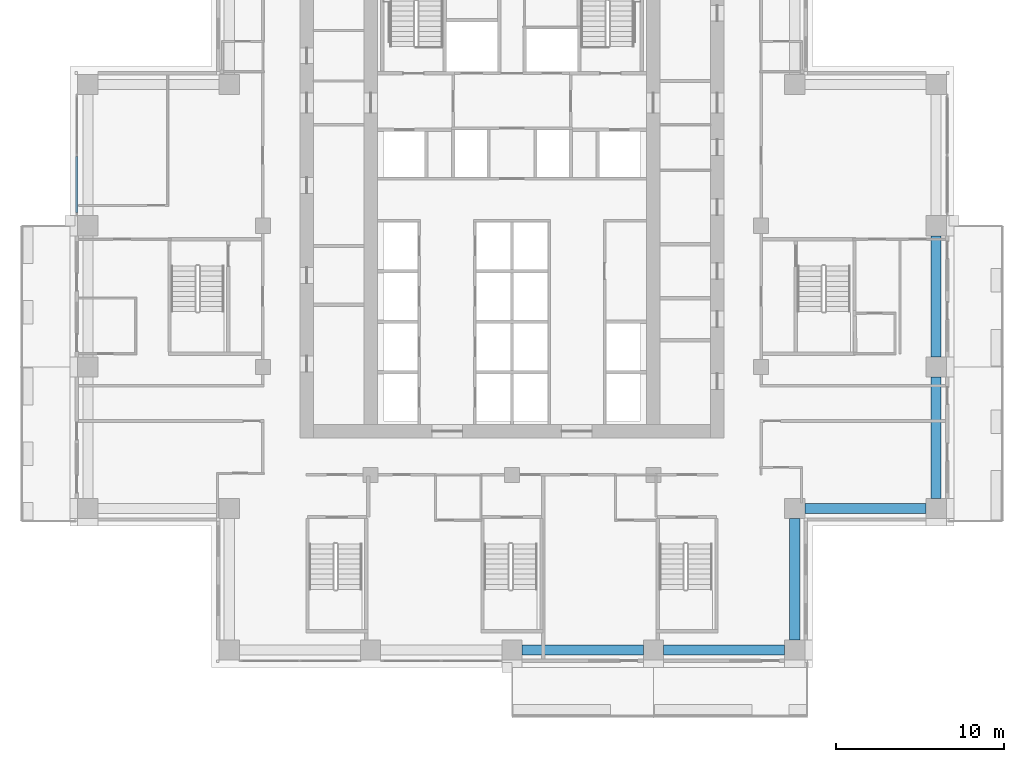
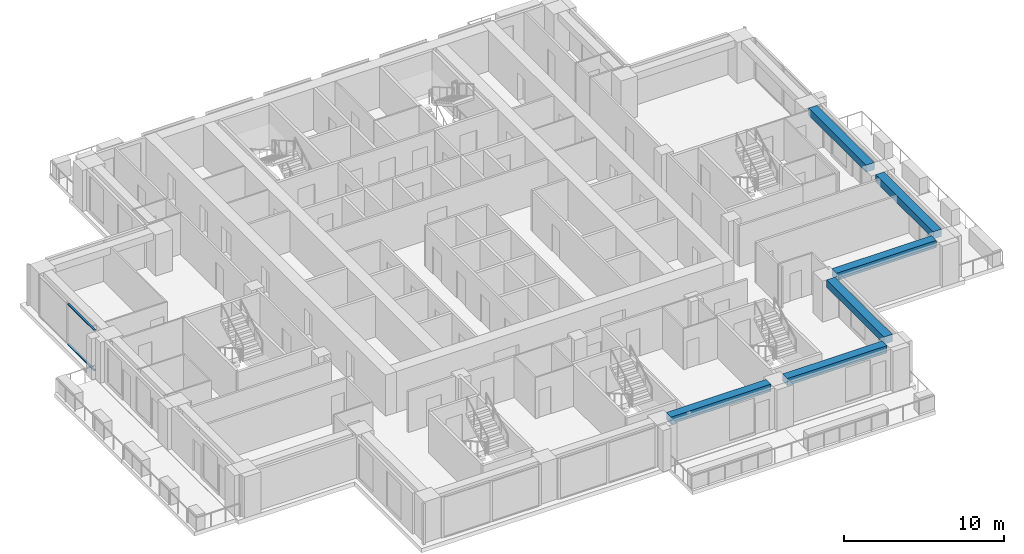
# One storey, part 3 of 18: 6 beams, 2 members, 1 element without a shape of its own.
"""IFC4 building model written with IfcOpenShell, lengths in metres."""

from ifc_helpers import new_model, si_unit, direction, frame, origin, origin_2d, place, context, subcontext, project, spatial, rectangle, extrude, material, material_profile, profile_set, type_object, element, aggregate, save


model = new_model("IFC4")

# Units and contexts
model_context = context("Model", 3, precision=1e-05, world=origin(), true_north=direction((0.0, 1.0)))
body_context = subcontext(model_context, "Body", "Model", "MODEL_VIEW")
ifc_project = project(units=[si_unit("LENGTHUNIT", "METRE"), si_unit("AREAUNIT", "SQUARE_METRE"), si_unit("VOLUMEUNIT", "CUBIC_METRE"), si_unit("PLANEANGLEUNIT", "RADIAN"), si_unit("MASSUNIT", "GRAM", prefix="KILO")], contexts=[model_context])

# Site, building, storey
site_placement = place(None, origin())
site = spatial("IfcSite", under=ifc_project, at=site_placement, CompositionType="ELEMENT")
building_placement = place(site_placement, origin())
building = spatial("IfcBuilding", under=site, at=building_placement, Name="Vermilion Ogive Tower", CompositionType="ELEMENT")
storey_placement = place(building_placement, frame((0.0, 0.0, 108.0)))
storey = spatial("IfcBuildingStorey", under=building, at=storey_placement, Name="L27", CompositionType="ELEMENT", Elevation=108.0)

# Curtain wall, members
ifc_material_1 = material(Name="Low-iron laminated glazing in aluminium frame", Category="aluminium")
curtain_wall_type = type_object("IfcCurtainWallType", Name="Curtain wall CW7", PredefinedType="NOTDEFINED", material=ifc_material_1)
curtain_wall_placement = place(storey_placement, origin())
curtain_wall = element("IfcCurtainWall", 1, at=curtain_wall_placement, inside=storey, type_object=curtain_wall_type, Name="Glazed skin W1", PredefinedType="NOTDEFINED")
ifc_material_2 = material(Name="Aluminium transom", Category="aluminium")
ifc_material_profile_1 = material_profile(ifc_material_2, rectangle(XDim=0.139892578125, YDim=0.06005859375, at=origin_2d()), Name="AL 60x140")
ifc_profile_set_1 = profile_set([ifc_material_profile_1], Name="Aluminium transom")
member_type = type_object("IfcMemberType", Name="CW7 transom 60x140", PredefinedType="USERDEFINED", material=ifc_profile_set_1)
member_1_placement = place(storey_placement, frame((-25.85009765625, 8.31005859375, 0.030029296875), z_axis=(0.0, -1.0, 0.0), x_axis=(1.0, 0.0, 0.0)))
member_1 = element("IfcMember", 2, at=member_1_placement, type_object=member_type, Name="CW7-W1 transom 2.1", ObjectType="TRANSOM", PredefinedType="USERDEFINED", context=body_context, shape_type="SweptSolid", body=[
    extrude(rectangle(XDim=0.139892578125, YDim=0.06005859375, at=origin_2d()), origin(), (0.0, 0.0, 1.0), 3.330078125),
])
member_2_placement = place(storey_placement, frame((-25.85009765625, 8.31005859375, 3.10009765625), z_axis=(0.0, -1.0, 0.0), x_axis=(1.0, 0.0, 0.0)))
member_2 = element("IfcMember", 3, at=member_2_placement, type_object=member_type, Name="CW7-W1 transom 2.2", ObjectType="TRANSOM", PredefinedType="USERDEFINED", context=body_context, shape_type="SweptSolid", body=[
    extrude(rectangle(XDim=0.139892578125, YDim=0.06005859375, at=origin_2d()), origin(), (0.0, 0.0, 1.0), 3.330078125),
])
aggregate(curtain_wall, [member_1, member_2])

# Beams
ifc_material_3 = material(Name="Concrete B45", Category="concrete")
ifc_material_profile_2 = material_profile(ifc_material_3, rectangle(XDim=0.60009765625, YDim=0.550048828125, at=origin_2d()), Name="600 x 550")
ifc_profile_set_2 = profile_set([ifc_material_profile_2], Name="Concrete B45")
beam_type = type_object("IfcBeamType", Name="Edge beam 600 x 550 B45", PredefinedType="BEAM", material=ifc_profile_set_2)
for number, where, z_axis, x_axis, name in (
    (4, (0.60009765625, -21.0, 2.85498046875), (1.0, 0.0, 0.0), (0.0, 1.0, 0.0), "L27-EB-3"),
    (5, (9.0, -21.0, 2.85498046875), (1.0, 0.0, 0.0), (0.0, 1.0, 0.0), "L27-EB-4"),
    (6, (16.800048828125, -20.39990234375, 2.85498046875), (0.0, 1.0, 0.0), (-1.0, 0.0, 0.0), "L27-EB-5"),
):
    element("IfcBeam", number, at=place(storey_placement, frame(where, z_axis=z_axis, x_axis=x_axis)), inside=storey, type_object=beam_type, Name=name, PredefinedType="BEAM", context=body_context, shape_type="SweptSolid", body=[
        extrude(rectangle(XDim=0.60009765625, YDim=0.550048828125, at=origin_2d()), origin(), (0.0, 0.0, 1.0), 7.199951171875),
    ])
beam_1_placement = place(storey_placement, frame((17.39990234375, -12.60009765625, 2.85498046875), z_axis=(1.0, 0.0, 0.0), x_axis=(0.0, 1.0, 0.0)))
element("IfcBeam", 7, at=beam_1_placement, inside=storey, type_object=beam_type, Name="L27-EB-6", PredefinedType="BEAM", context=body_context, shape_type="SweptSolid", body=[
    extrude(rectangle(XDim=0.60009765625, YDim=0.550048828125, at=origin_2d()), origin(), (0.0, 0.0, 1.0), 7.2001953125),
])
beam_2_placement = place(storey_placement, frame((25.199951171875, -12.0, 2.85498046875), z_axis=(0.0, 1.0, 0.0), x_axis=(-1.0, 0.0, 0.0)))
element("IfcBeam", 8, at=beam_2_placement, inside=storey, type_object=beam_type, Name="L27-EB-7", PredefinedType="BEAM", context=body_context, shape_type="SweptSolid", body=[
    extrude(rectangle(XDim=0.60009765625, YDim=0.550048828125, at=origin_2d()), origin(), (0.0, 0.0, 1.0), 7.199951171875),
])
beam_3_placement = place(storey_placement, frame((25.199951171875, -3.60009765625, 2.85498046875), z_axis=(0.0, 1.0, 0.0), x_axis=(-1.0, 0.0, 0.0)))
element("IfcBeam", 9, at=beam_3_placement, inside=storey, type_object=beam_type, Name="L27-EB-8", PredefinedType="BEAM", context=body_context, shape_type="SweptSolid", body=[
    extrude(rectangle(XDim=0.60009765625, YDim=0.550048828125, at=origin_2d()), origin(), (0.0, 0.0, 1.0), 7.2001953125),
])

save(model, "model.ifc")
